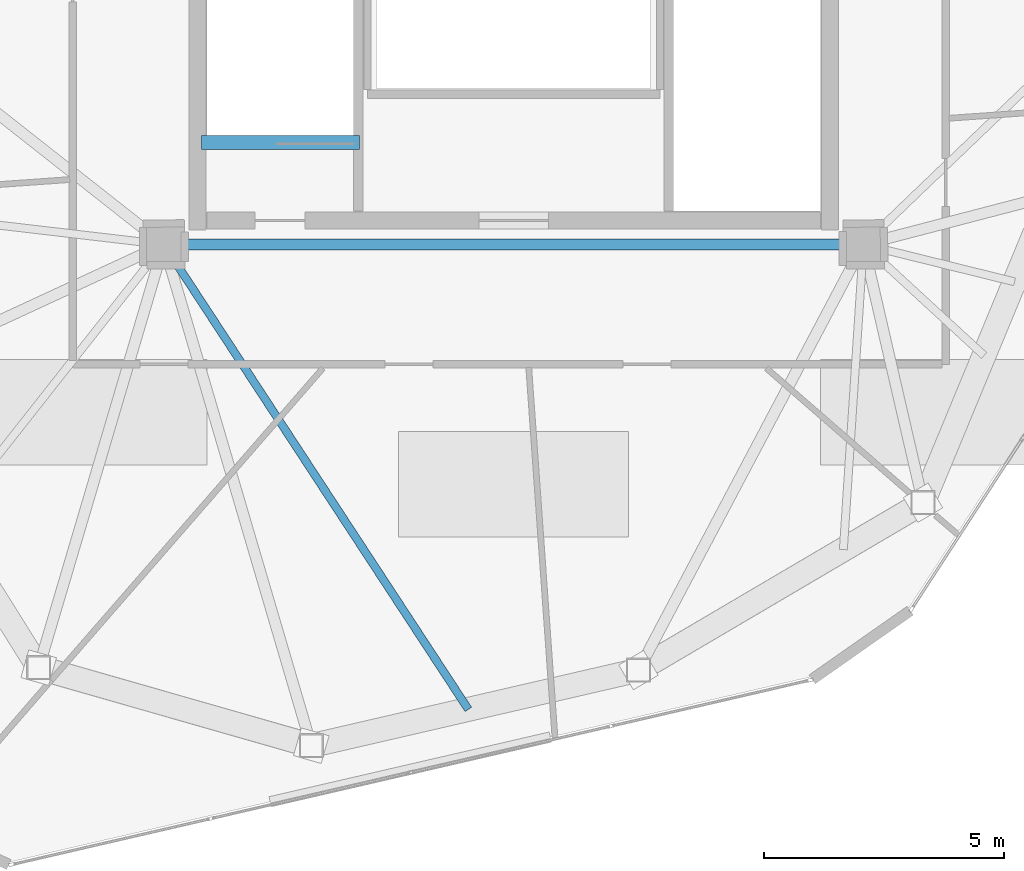
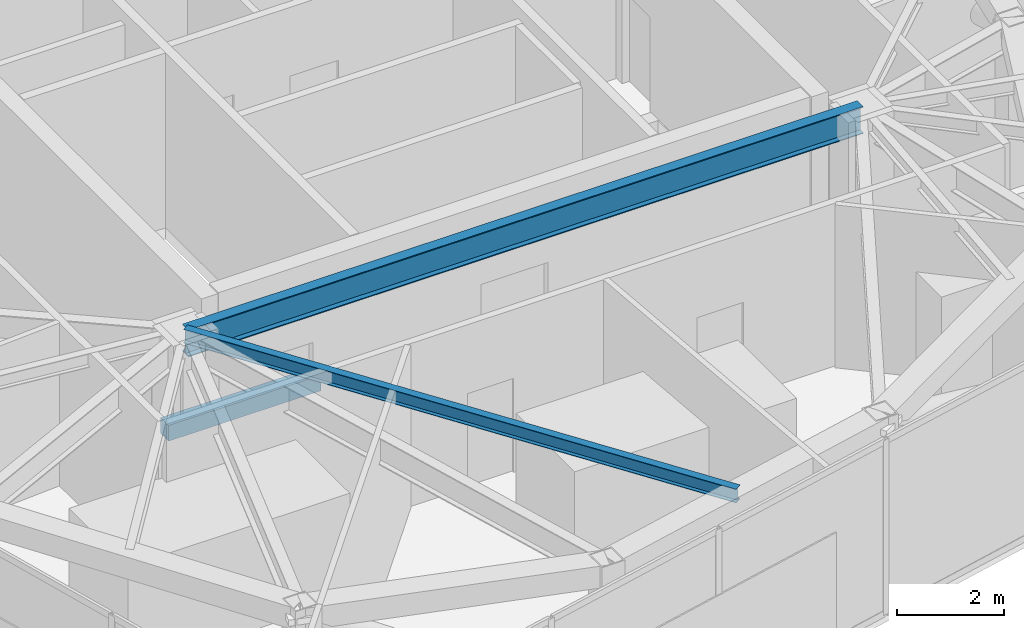
# One storey, part 6 of 20: 3 beams.
"""IFC4 building model written with IfcOpenShell, lengths in metres."""

from ifc_helpers import new_model, si_unit, direction, frame, origin, origin_2d, place, context, subcontext, project, spatial, rectangle, i_section, extrude, material, material_profile, profile_set, type_object, element, save


model = new_model("IFC4")

# Units and contexts
model_context = context("Model", 3, precision=1e-05, world=origin(), true_north=direction((0.0, 1.0)))
body_context = subcontext(model_context, "Body", "Model", "MODEL_VIEW")
ifc_project = project(units=[si_unit("LENGTHUNIT", "METRE"), si_unit("AREAUNIT", "SQUARE_METRE"), si_unit("VOLUMEUNIT", "CUBIC_METRE"), si_unit("PLANEANGLEUNIT", "RADIAN"), si_unit("MASSUNIT", "GRAM", prefix="KILO")], contexts=[model_context])

# Site, building, storey
site_placement = place(None, origin())
site = spatial("IfcSite", under=ifc_project, at=site_placement, CompositionType="ELEMENT")
building_placement = place(site_placement, origin())
building = spatial("IfcBuilding", under=site, at=building_placement, Name="Talar Marvaseh", CompositionType="ELEMENT")
storey_placement = place(building_placement, frame((0.0, 0.0, 312.0)))
storey = spatial("IfcBuildingStorey", under=building, at=storey_placement, Name="L83", CompositionType="ELEMENT", Elevation=312.0)

# Beams
ifc_material_1 = material(Name="Concrete C40/50", Category="concrete")
ifc_material_profile_1 = material_profile(ifc_material_1, rectangle(XDim=0.300048828125, YDim=0.360107421875, at=origin_2d()), Name="RC300x360")
ifc_profile_set_1 = profile_set([ifc_material_profile_1], Name="Concrete C40/50")
beam_type_1 = type_object("IfcBeamType", Name="Concrete Stair Landing Trimmer Beam RC300x360", PredefinedType="SPANDREL", material=ifc_profile_set_1)
beam_1_placement = place(storey_placement, frame((22.780029296875, 27.6298828125, -0.179931640625), z_axis=(-1.0, 0.0, 0.0), x_axis=(0.0, -1.0, 0.0)))
element("IfcBeam", 1, at=beam_1_placement, inside=storey, type_object=beam_type_1, Name="L83 ST-1 Stair Nosing Trimmer Beam", PredefinedType="SPANDREL", context=body_context, shape_type="SweptSolid", body=[
    extrude(rectangle(XDim=0.300048828125, YDim=0.360107421875, at=origin_2d()), origin(), (0.0, 0.0, 1.0), 3.300048828125),
])
ifc_material_2 = material(Name="Steel S355", Category="steel")
ifc_material_profile_2 = material_profile(ifc_material_2, i_section(OverallWidth=0.166015625, OverallDepth=0.31298828125, WebThickness=0.006591796875, FlangeThickness=0.01123046875, at=origin_2d()), Name="W310x45")
ifc_profile_set_2 = profile_set([ifc_material_profile_2], Name="Steel S355")
beam_type_2 = type_object("IfcBeamType", Name="Zone 3 Secondary Floor Joist W310x45", PredefinedType="JOIST", material=ifc_profile_set_2)
beam_2_placement = place(storey_placement, frame((25.053955078125, 15.797119140625, 3.568603515625), z_axis=(-0.547841891952, 0.836581891641, 0.0), x_axis=(-0.836581891641, -0.547841891952, 0.0)))
element("IfcBeam", 2, at=beam_2_placement, inside=storey, type_object=beam_type_2, Name="L83 Zone 3 Secondary Floor Joist W310x45", PredefinedType="JOIST", context=body_context, shape_type="SweptSolid", body=[
    extrude(i_section(OverallWidth=0.166015625, OverallDepth=0.31298828125, WebThickness=0.006591796875, FlangeThickness=0.01123046875, at=origin_2d()), origin(), (0.0, 0.0, 1.0), 11.59814453125),
])
ifc_material_profile_3 = material_profile(ifc_material_2, i_section(OverallWidth=0.22998046875, OverallDepth=0.616943359375, WebThickness=0.01318359375, FlangeThickness=0.022216796875, at=origin_2d()), Name="W610x140")
ifc_profile_set_3 = profile_set([ifc_material_profile_3], Name="Steel S355")
beam_type_3 = type_object("IfcBeamType", Name="Zone 4 Radial Floor Girder W610x140", PredefinedType="BEAM", material=ifc_profile_set_3)
beam_3_placement = place(storey_placement, frame((18.699951171875, 25.5, 3.41650390625), z_axis=(1.0, 0.0, 0.0), x_axis=(0.0, 1.0, 0.0)))
element("IfcBeam", 3, at=beam_3_placement, inside=storey, type_object=beam_type_3, Name="L83 Zone 4 Radial Floor Girder W610x140", PredefinedType="BEAM", context=body_context, shape_type="SweptSolid", body=[
    extrude(i_section(OverallWidth=0.22998046875, OverallDepth=0.616943359375, WebThickness=0.01318359375, FlangeThickness=0.022216796875, at=origin_2d()), origin(), (0.0, 0.0, 1.0), 14.60009765625),
])

save(model, "model.ifc")
